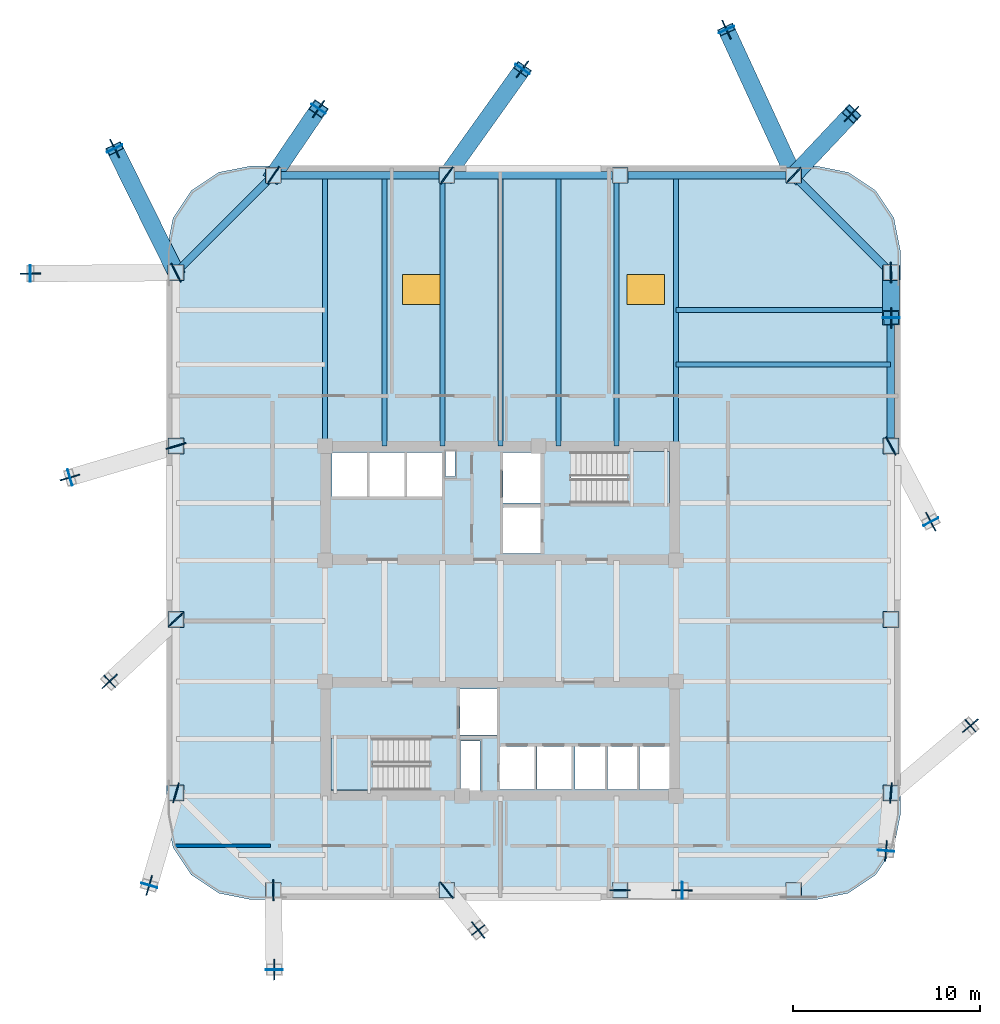
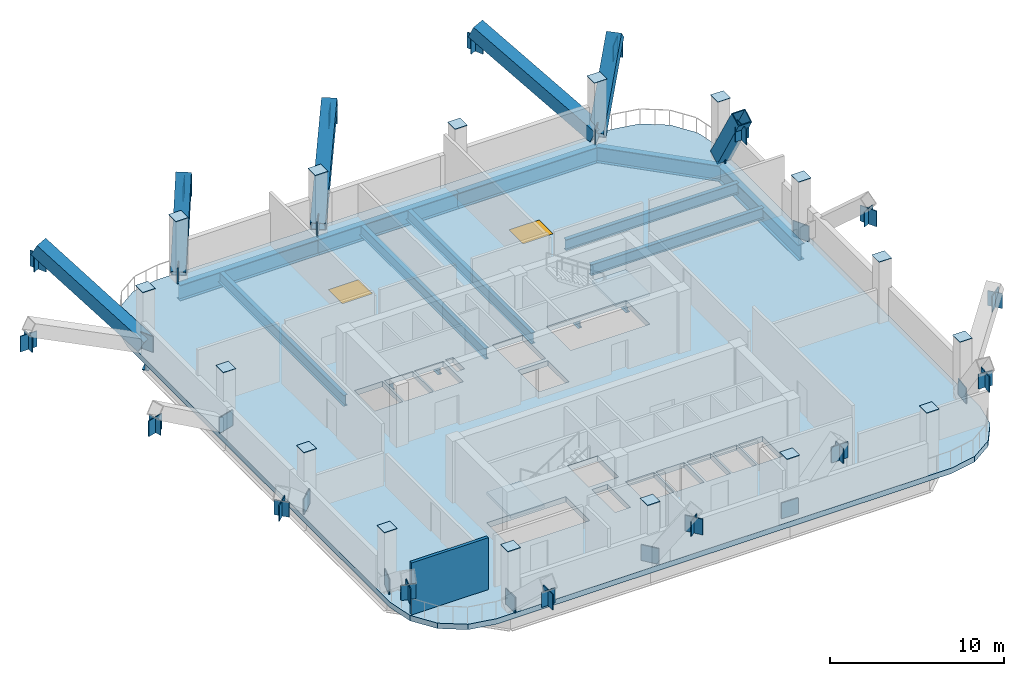
# One storey, part 2 of 7: 61 plates, 15 beams, 6 members, 3 slabs, 2 windows, 1 wall, 2 openings, 2 elements without a shape of their own.
"""IFC4 building model written with IfcOpenShell, lengths in metres."""

from ifc_helpers import new_model, si_unit, direction, frame, frame_2d, origin, origin_2d, place, context, subcontext, project, spatial, polyline, rectangle, hollow_rectangle, i_section, outline, extrude, material, layer, layer_set, material_profile, profile_set, type_object, element, fill, aggregate, save


model = new_model("IFC4")

# Units and contexts
model_context = context("Model", 3, precision=1e-05, world=origin(), true_north=direction((0.0, 1.0)))
body_context = subcontext(model_context, "Body", "Model", "MODEL_VIEW")
ifc_project = project(units=[si_unit("LENGTHUNIT", "METRE"), si_unit("AREAUNIT", "SQUARE_METRE"), si_unit("VOLUMEUNIT", "CUBIC_METRE"), si_unit("PLANEANGLEUNIT", "RADIAN"), si_unit("MASSUNIT", "GRAM", prefix="KILO")], contexts=[model_context])

# Site, building, storey
site_placement = place(None, origin())
site = spatial("IfcSite", under=ifc_project, at=site_placement, CompositionType="ELEMENT")
building_placement = place(site_placement, origin())
building = spatial("IfcBuilding", under=site, at=building_placement, Name="Qhalaya Broadcast Tower", CompositionType="ELEMENT")
storey_placement = place(building_placement, frame((0.0, 0.0, 108.449951171875)))
storey = spatial("IfcBuildingStorey", under=building, at=storey_placement, Name="L31", CompositionType="ELEMENT", Elevation=108.449951171875)

# Members
ifc_material_1 = material(Name="Structural Steel ASTM A572 Grade 50", Category="steel")
ifc_material_profile_1 = material_profile(ifc_material_1, hollow_rectangle(XDim=0.89990234375, YDim=0.89990234375, WallThickness=0.054931640625, at=origin_2d()), Name="BOX 900x900x55")
ifc_profile_set_1 = profile_set([ifc_material_profile_1], Name="Structural Steel ASTM A572 Grade 50")
member_type = type_object("IfcMemberType", Name="Heavy Exoskeleton Transfer Strut RK1", PredefinedType="BRACE", material=ifc_profile_set_1)
member_1_placement = place(storey_placement, frame((20.8701171875, 19.2099609375, 0.238037109375), z_axis=(0.002149644203, -0.506804211778, 0.862058507269), x_axis=(0.999991004675, 0.004241529206, 0.0)))
element("IfcMember", 1, at=member_1_placement, inside=storey, type_object=member_type, Name="L31 Inclined Exoskeleton Transfer Strut 07", PredefinedType="BRACE", context=body_context, shape_type="SweptSolid", body=[
    extrude(hollow_rectangle(XDim=0.89990234375, YDim=0.89990234375, WallThickness=0.054931640625, at=origin_2d()), origin(), (0.0, 0.0, 1.0), 4.77001953125),
])
member_2_placement = place(storey_placement, frame((15.669921875, 24.409912109375, 0.346435546875), z_axis=(0.512979075168, 0.54387850158, 0.664114932793), x_axis=(-0.727469660093, 0.686139849918, 0.0)))
element("IfcMember", 2, at=member_2_placement, inside=storey, type_object=member_type, Name="L31 Inclined Exoskeleton Transfer Strut 08", PredefinedType="BRACE", context=body_context, shape_type="SweptSolid", body=[
    extrude(hollow_rectangle(XDim=0.89990234375, YDim=0.89990234375, WallThickness=0.054931640625, at=origin_2d()), origin(), (0.0, 0.0, 1.0), 6.028564453125),
])
member_3_placement = place(storey_placement, frame((15.669921875, 24.409912109375, 0.419189453125), z_axis=(-0.380638186879, 0.825492567261, 0.41674523643), x_axis=(-0.908109333721, -0.418733134597, 0.0)))
element("IfcMember", 3, at=member_3_placement, inside=storey, type_object=member_type, Name="L31 Inclined Exoskeleton Transfer Strut 09", PredefinedType="BRACE", context=body_context, shape_type="SweptSolid", body=[
    extrude(hollow_rectangle(XDim=0.89990234375, YDim=0.89990234375, WallThickness=0.054931640625, at=origin_2d()), origin(), (0.0, 0.0, 1.0), 9.432373046875),
])
member_4_placement = place(storey_placement, frame((-2.86328125, 24.409912109375, 0.401611328125), z_axis=(0.505445296092, 0.708019842213, 0.49318653235), x_axis=(-0.813887396726, 0.58102263764, 0.0)))
element("IfcMember", 4, at=member_4_placement, inside=storey, type_object=member_type, Name="L31 Inclined Exoskeleton Transfer Strut 10", PredefinedType="BRACE", context=body_context, shape_type="SweptSolid", body=[
    extrude(hollow_rectangle(XDim=0.89990234375, YDim=0.89990234375, WallThickness=0.054931640625, at=origin_2d()), origin(), (0.0, 0.0, 1.0), 8.006103515625),
])
member_5_placement = place(storey_placement, frame((-12.1298828125, 24.409912109375, 0.3388671875), z_axis=(0.411303354747, 0.604139449357, 0.68252844344), x_axis=(-0.826615562421, 0.562767013926, 0.0)))
element("IfcMember", 5, at=member_5_placement, inside=storey, type_object=member_type, Name="L31 Inclined Exoskeleton Transfer Strut 11", PredefinedType="BRACE", context=body_context, shape_type="SweptSolid", body=[
    extrude(hollow_rectangle(XDim=0.89990234375, YDim=0.89990234375, WallThickness=0.054931640625, at=origin_2d()), origin(), (0.0, 0.0, 1.0), 5.876953125),
])
member_6_placement = place(storey_placement, frame((-17.330078125, 19.2099609375, 0.4072265625), z_axis=(-0.391073834786, 0.791117119354, 0.470313681718), x_axis=(-0.896450689538, -0.443143499588, 0.0)))
element("IfcMember", 6, at=member_6_placement, inside=storey, type_object=member_type, Name="L31 Inclined Exoskeleton Transfer Strut 12", PredefinedType="BRACE", context=body_context, shape_type="SweptSolid", body=[
    extrude(hollow_rectangle(XDim=0.89990234375, YDim=0.89990234375, WallThickness=0.054931640625, at=origin_2d()), origin(), (0.0, 0.0, 1.0), 8.383544921875),
])

# Beams
ifc_material_2 = material(Name="Structural Steel ASTM A992 Grade 50", Category="steel")
ifc_material_profile_2 = material_profile(ifc_material_2, i_section(OverallWidth=0.26708984375, OverallDepth=0.780029296875, WebThickness=0.0166015625, FlangeThickness=0.030029296875, at=origin_2d()), Name="W30X148")
ifc_profile_set_2 = profile_set([ifc_material_profile_2], Name="Structural Steel ASTM A992 Grade 50")
beam_type_1 = type_object("IfcBeamType", Name="Neck & Crown Primary Girder PG5", PredefinedType="USERDEFINED", material=ifc_profile_set_2)
for number, where, z_axis, x_axis, name in (
    (7, (-9.375, 9.949951171875, -0.77001953125), (0.0, 1.0, 0.0), (-1.0, 0.0, 0.0), "L31 PG5 L31-PGXN1-1"),
    (8, (9.375, 9.949951171875, -0.77001953125), (0.0, 1.0, 0.0), (-1.0, 0.0, 0.0), "L31 PG5 L31-PGXN2-1"),
):
    element("IfcBeam", number, at=place(storey_placement, frame(where, z_axis=z_axis, x_axis=x_axis)), inside=storey, type_object=beam_type_1, Name=name, ObjectType="GIRDER", PredefinedType="USERDEFINED", context=body_context, shape_type="SweptSolid", body=[
        extrude(i_section(OverallWidth=0.26708984375, OverallDepth=0.780029296875, WebThickness=0.0166015625, FlangeThickness=0.030029296875, at=origin_2d()), origin(), (0.0, 0.0, 1.0), 14.43994140625),
    ])
ifc_material_profile_3 = material_profile(ifc_material_2, i_section(OverallWidth=0.26708984375, OverallDepth=0.761962890625, WebThickness=0.014404296875, FlangeThickness=0.021484375, at=origin_2d()), Name="W30X116")
ifc_profile_set_3 = profile_set([ifc_material_profile_3], Name="Structural Steel ASTM A992 Grade 50")
beam_type_2 = type_object("IfcBeamType", Name="Plant & Server Floor Beam B02", PredefinedType="BEAM", material=ifc_profile_set_3)
for number, where, z_axis, x_axis, name in (
    (9, (-6.199951171875, 9.949951171875, -0.760986328125), (0.0, 1.0, 0.0), (-1.0, 0.0, 0.0), "L31 B02 L31-JNN1-1"),
    (10, (-3.10009765625, 9.949951171875, -0.760986328125), (0.0, 1.0, 0.0), (-1.0, 0.0, 0.0), "L31 B02 L31-JNN2-1"),
    (11, (0.0, 9.949951171875, -0.760986328125), (0.0, 1.0, 0.0), (-1.0, 0.0, 0.0), "L31 B02 L31-JNN3-1"),
    (12, (3.10009765625, 9.949951171875, -0.760986328125), (0.0, 1.0, 0.0), (-1.0, 0.0, 0.0), "L31 B02 L31-JNN4-1"),
    (13, (6.199951171875, 9.949951171875, -0.760986328125), (0.0, 1.0, 0.0), (-1.0, 0.0, 0.0), "L31 B02 L31-JNN5-1"),
):
    element("IfcBeam", number, at=place(storey_placement, frame(where, z_axis=z_axis, x_axis=x_axis)), inside=storey, type_object=beam_type_2, Name=name, PredefinedType="BEAM", context=body_context, shape_type="SweptSolid", body=[
        extrude(i_section(OverallWidth=0.26708984375, OverallDepth=0.761962890625, WebThickness=0.014404296875, FlangeThickness=0.021484375, at=origin_2d()), origin(), (0.0, 0.0, 1.0), 14.43994140625),
    ])
for number, where, z_axis, x_axis, name in (
    (14, (9.375, 14.300048828125, -0.760986328125), (1.0, 0.0, 0.0), (0.0, 1.0, 0.0), "L31 B02 L31-JWE6E-1"),
    (15, (9.375, 17.199951171875, -0.760986328125), (1.0, 0.0, 0.0), (0.0, 1.0, 0.0), "L31 B02 L31-JWE7E-1"),
):
    element("IfcBeam", number, at=place(storey_placement, frame(where, z_axis=z_axis, x_axis=x_axis)), inside=storey, type_object=beam_type_2, Name=name, PredefinedType="BEAM", context=body_context, shape_type="SweptSolid", body=[
        extrude(i_section(OverallWidth=0.26708984375, OverallDepth=0.761962890625, WebThickness=0.014404296875, FlangeThickness=0.021484375, at=origin_2d()), origin(), (0.0, 0.0, 1.0), 11.47509765625),
    ])
ifc_material_profile_4 = material_profile(ifc_material_2, i_section(OverallWidth=0.404052734375, OverallDepth=1.117919921875, WebThickness=0.026123046875, FlangeThickness=0.044921875, at=origin_2d()), Name="W44X335")
ifc_profile_set_4 = profile_set([ifc_material_profile_4], Name="Structural Steel ASTM A992 Grade 50")
beam_type_3 = type_object("IfcBeamType", Name="Podium Long-Span Primary Girder PG1", PredefinedType="USERDEFINED", material=ifc_profile_set_4)
beam_1_placement = place(storey_placement, frame((20.8701171875, 9.943359375, -0.93896484375), z_axis=(0.0, 1.0, 0.0), x_axis=(-1.0, 0.0, 0.0)))
element("IfcBeam", 16, at=beam_1_placement, inside=storey, type_object=beam_type_3, Name="L31 PG1 L31-SPR-07", ObjectType="GIRDER", PredefinedType="USERDEFINED", context=body_context, shape_type="SweptSolid", body=[
    extrude(i_section(OverallWidth=0.404052734375, OverallDepth=1.117919921875, WebThickness=0.026123046875, FlangeThickness=0.044921875, at=origin_2d()), origin(), (0.0, 0.0, 1.0), 9.2666015625),
])
beam_2_placement = place(storey_placement, frame((20.8701171875, 19.2099609375, -0.93896484375), z_axis=(-0.707123380132, 0.707090181851, 0.0), x_axis=(-0.707090181851, -0.707123380132, 0.0)))
element("IfcBeam", 17, at=beam_2_placement, inside=storey, type_object=beam_type_3, Name="L31 PG1 L31-SPR-08", ObjectType="GIRDER", PredefinedType="USERDEFINED", context=body_context, shape_type="SweptSolid", body=[
    extrude(i_section(OverallWidth=0.404052734375, OverallDepth=1.117919921875, WebThickness=0.026123046875, FlangeThickness=0.044921875, at=origin_2d()), origin(), (0.0, 0.0, 1.0), 7.35400390625),
])
for number, where, z_axis, x_axis, name in (
    (18, (15.669921875, 24.409912109375, -0.93896484375), (-1.0, 0.0, 0.0), (0.0, -1.0, 0.0), "L31 PG1 L31-SPR-09"),
    (19, (6.4033203125, 24.409912109375, -0.93896484375), (-1.0, 0.0, 0.0), (0.0, -1.0, 0.0), "L31 PG1 L31-SPR-10"),
    (20, (-2.86328125, 24.409912109375, -0.93896484375), (-1.0, 0.0, 0.0), (0.0, -1.0, 0.0), "L31 PG1 L31-SPR-11"),
):
    element("IfcBeam", number, at=place(storey_placement, frame(where, z_axis=z_axis, x_axis=x_axis)), inside=storey, type_object=beam_type_3, Name=name, ObjectType="GIRDER", PredefinedType="USERDEFINED", context=body_context, shape_type="SweptSolid", body=[
        extrude(i_section(OverallWidth=0.404052734375, OverallDepth=1.117919921875, WebThickness=0.026123046875, FlangeThickness=0.044921875, at=origin_2d()), origin(), (0.0, 0.0, 1.0), 9.2666015625),
    ])
beam_3_placement = place(storey_placement, frame((-12.1298828125, 24.409912109375, -0.93896484375), z_axis=(-0.707123380132, -0.707090181851, 0.0), x_axis=(0.707090181851, -0.707123380132, 0.0)))
element("IfcBeam", 21, at=beam_3_placement, inside=storey, type_object=beam_type_3, Name="L31 PG1 L31-SPR-12", ObjectType="GIRDER", PredefinedType="USERDEFINED", context=body_context, shape_type="SweptSolid", body=[
    extrude(i_section(OverallWidth=0.404052734375, OverallDepth=1.117919921875, WebThickness=0.026123046875, FlangeThickness=0.044921875, at=origin_2d()), origin(), (0.0, 0.0, 1.0), 7.35400390625),
])

# Plates
ifc_layer_1 = layer(ifc_material_1, 0.054931640625, Name="Structural Steel ASTM A572 Grade 50")
ifc_layer_set_1 = layer_set([ifc_layer_1], Name="Structural Steel ASTM A572 Grade 50")
plate_type_1 = type_object("IfcPlateType", Name="Exoskeleton Diamond Node Gusset Plate NP-01", PredefinedType="USERDEFINED", material=ifc_layer_set_1)
for number, where, z_axis, x_axis, name in (
    (22, (-12.1298828125, -13.7900390625, 0.0), (0.0, 0.0, 1.0), (0.01188541236, -0.999929365992, 0.0), "L31 Strut Foot Gusset Plate 01"),
    (23, (-12.07958984375, -18.036376953125, 2.77001953125), (0.0, 0.0, 1.0), (0.01188541236, -0.999929365992, 0.0), "L31 Strut Head Gusset Plate 01"),
    (24, (-2.86328125, -13.7900390625, 0.0), (0.0, 0.0, 1.0), (0.619546156681, -0.784960228127, 0.0), "L31 Strut Foot Gusset Plate 02"),
    (25, (-1.183349609375, -15.91845703125, 2.77001953125), (0.0, 0.0, 1.0), (0.619546156681, -0.784960228127, 0.0), "L31 Strut Head Gusset Plate 02"),
    (26, (6.4033203125, -13.7900390625, 0.0), (0.0, 0.0, 1.0), (0.999995065202, -0.003141587486, 0.0), "L31 Strut Foot Gusset Plate 03"),
    (27, (9.712646484375, -13.80029296875, 2.77001953125), (0.0, 0.0, 1.0), (0.999995065202, -0.003141587486, 0.0), "L31 Strut Head Gusset Plate 03"),
    (28, (20.8701171875, -8.590087890625, 0.0), (0.0, 0.0, 1.0), (-0.084199594279, -0.996448909038, 0.0), "L31 Strut Foot Gusset Plate 04"),
    (29, (20.608642578125, -11.682373046875, 2.77001953125), (0.0, 0.0, 1.0), (-0.084199594279, -0.996448909038, 0.0), "L31 Strut Head Gusset Plate 04"),
    (30, (25.1162109375, -4.99951171875, 2.77001953125), (0.0, 0.0, 1.0), (0.763604483866, 0.645684282153, 0.0), "L31 Strut Head Gusset Plate 05"),
    (31, (20.8701171875, 9.943359375, 0.0), (0.0, 0.0, 1.0), (0.465506395214, -0.885044516403, 0.0), "L31 Strut Foot Gusset Plate 06"),
    (32, (22.998291015625, 5.896484375, 2.77001953125), (0.0, 0.0, 1.0), (0.465506395214, -0.885044516403, 0.0), "L31 Strut Head Gusset Plate 06"),
    (33, (20.8701171875, 19.2099609375, 0.0), (0.0, 0.0, 1.0), (0.004293496769, -0.9999907829, 0.0), "L31 Strut Foot Gusset Plate 07"),
    (34, (20.88037109375, 16.79248046875, 2.77001953125), (0.0, 0.0, 1.0), (0.004293496769, -0.9999907829, 0.0), "L31 Strut Head Gusset Plate 07"),
    (35, (15.669921875, 24.409912109375, 0.0), (0.0, 0.0, 1.0), (0.686135838403, 0.72747344368, 0.0), "L31 Strut Foot Gusset Plate 08"),
    (36, (18.762451171875, 27.688720703125, 2.77001953125), (0.0, 0.0, 1.0), (0.686135838403, 0.72747344368, 0.0), "L31 Strut Head Gusset Plate 08"),
    (37, (12.07958984375, 32.1962890625, 2.77001953125), (0.0, 0.0, 1.0), (-0.418754835772, 0.908099326901, 0.0), "L31 Strut Head Gusset Plate 09"),
    (38, (-2.86328125, 24.409912109375, 0.0), (0.0, 0.0, 1.0), (0.581029715829, 0.813882343662, 0.0), "L31 Strut Foot Gusset Plate 10"),
    (39, (1.183349609375, 30.078369140625, 2.77001953125), (0.0, 0.0, 1.0), (0.581029715829, 0.813882343662, 0.0), "L31 Strut Head Gusset Plate 10"),
    (40, (-12.1298828125, 24.409912109375, 0.0), (0.0, 0.0, 1.0), (0.562804927695, 0.826589749127, 0.0), "L31 Strut Foot Gusset Plate 11"),
    (41, (-9.712646484375, 27.96044921875, 2.77001953125), (0.0, 0.0, 1.0), (0.562804927695, 0.826589749127, 0.0), "L31 Strut Head Gusset Plate 11"),
    (42, (-17.330078125, 19.2099609375, 0.0), (0.0, 0.0, 1.0), (-0.443149422337, 0.896447761714, 0.0), "L31 Strut Foot Gusset Plate 12"),
    (43, (-20.608642578125, 25.84228515625, 2.77001953125), (0.0, 0.0, 1.0), (-0.443149422337, 0.896447761714, 0.0), "L31 Strut Head Gusset Plate 12"),
    (44, (-25.1162109375, 19.159423828125, 2.77001953125), (0.0, 0.0, 1.0), (-0.999978922986, -0.006492579202, 0.0), "L31 Strut Head Gusset Plate 13"),
    (45, (-17.330078125, 9.943359375, 0.0), (0.0, 0.0, 1.0), (-0.958780069499, -0.284149218425, 0.0), "L31 Strut Foot Gusset Plate 14"),
    (46, (-22.998291015625, 8.263427734375, 2.77001953125), (0.0, 0.0, 1.0), (-0.958780069499, -0.284149218425, 0.0), "L31 Strut Head Gusset Plate 14"),
    (47, (-17.330078125, 0.6767578125, 0.0), (0.0, 0.0, 1.0), (-0.731508423312, -0.681832403618, 0.0), "L31 Strut Foot Gusset Plate 15"),
    (48, (-20.88037109375, -2.632568359375, 2.77001953125), (0.0, 0.0, 1.0), (-0.731508423312, -0.681832403618, 0.0), "L31 Strut Head Gusset Plate 15"),
    (49, (-17.330078125, -8.590087890625, 0.0), (0.0, 0.0, 1.0), (-0.278555309877, -0.960420188948, 0.0), "L31 Strut Foot Gusset Plate 16"),
    (50, (-18.762451171875, -13.52880859375, 2.77001953125), (0.0, 0.0, 1.0), (-0.278555309877, -0.960420188948, 0.0), "L31 Strut Head Gusset Plate 16"),
):
    element("IfcPlate", number, at=place(storey_placement, frame(where, z_axis=z_axis, x_axis=x_axis)), inside=storey, type_object=plate_type_1, Name=name, ObjectType="GUSSET_PLATE", PredefinedType="USERDEFINED", context=body_context, shape_type="SweptSolid", body=[
        extrude(rectangle(XDim=1.10009765625, YDim=0.06005859375, at=origin_2d()), origin(), (0.0, 0.0, 1.0), 1.10009765625),
    ])
ifc_layer_2 = layer(ifc_material_1, 0.4599609375, Name="Structural Steel ASTM A572 Grade 50")
ifc_layer_set_2 = layer_set([ifc_layer_2], Name="Structural Steel ASTM A572 Grade 50")
plate_type_2 = type_object("IfcPlateType", Name="Hollow Box Member End Cap Plate CP-01", PredefinedType="USERDEFINED", material=ifc_layer_set_2)
for number, where, z_axis, x_axis, name in (
    (51, (-12.1298828125, -13.7900390625, 4.35009765625), (0.0, 0.0, 1.0), (1.0, 0.0, 0.0), "L31 Hollow Box Column Top Cap Plate COL-NK01"),
    (52, (-2.86328125, -13.7900390625, 4.35009765625), (0.0, 0.0, 1.0), (1.0, 0.0, 0.0), "L31 Hollow Box Column Top Cap Plate COL-NK02"),
    (53, (6.4033203125, -13.7900390625, 4.35009765625), (0.0, 0.0, 1.0), (1.0, 0.0, 0.0), "L31 Hollow Box Column Top Cap Plate COL-NK03"),
    (54, (15.669921875, -13.7900390625, 4.35009765625), (0.0, 0.0, 1.0), (1.0, 0.0, 0.0), "L31 Hollow Box Column Top Cap Plate COL-NK04"),
    (55, (20.8701171875, -8.590087890625, 4.35009765625), (0.0, 0.0, 1.0), (0.0, 1.0, 0.0), "L31 Hollow Box Column Top Cap Plate COL-NK05"),
    (56, (20.8701171875, 0.6767578125, 4.35009765625), (0.0, 0.0, 1.0), (0.0, 1.0, 0.0), "L31 Hollow Box Column Top Cap Plate COL-NK06"),
    (57, (20.8701171875, 9.943359375, 4.35009765625), (0.0, 0.0, 1.0), (0.0, 1.0, 0.0), "L31 Hollow Box Column Top Cap Plate COL-NK07"),
    (58, (20.8701171875, 19.2099609375, 4.35009765625), (0.0, 0.0, 1.0), (0.0, 1.0, 0.0), "L31 Hollow Box Column Top Cap Plate COL-NK08"),
    (59, (15.669921875, 24.409912109375, 4.35009765625), (0.0, 0.0, 1.0), (1.0, 0.0, 0.0), "L31 Hollow Box Column Top Cap Plate COL-NK09"),
    (60, (6.4033203125, 24.409912109375, 4.35009765625), (0.0, 0.0, 1.0), (1.0, 0.0, 0.0), "L31 Hollow Box Column Top Cap Plate COL-NK10"),
    (61, (-2.86328125, 24.409912109375, 4.35009765625), (0.0, 0.0, 1.0), (1.0, 0.0, 0.0), "L31 Hollow Box Column Top Cap Plate COL-NK11"),
    (62, (-12.1298828125, 24.409912109375, 4.35009765625), (0.0, 0.0, 1.0), (1.0, 0.0, 0.0), "L31 Hollow Box Column Top Cap Plate COL-NK12"),
    (63, (-17.330078125, 19.2099609375, 4.35009765625), (0.0, 0.0, 1.0), (0.0, 1.0, 0.0), "L31 Hollow Box Column Top Cap Plate COL-NK13"),
    (64, (-17.330078125, 9.943359375, 4.35009765625), (0.0, 0.0, 1.0), (0.0, 1.0, 0.0), "L31 Hollow Box Column Top Cap Plate COL-NK14"),
    (65, (-17.330078125, 0.6767578125, 4.35009765625), (0.0, 0.0, 1.0), (0.0, 1.0, 0.0), "L31 Hollow Box Column Top Cap Plate COL-NK15"),
    (66, (-17.330078125, -8.590087890625, 4.35009765625), (0.0, 0.0, 1.0), (0.0, 1.0, 0.0), "L31 Hollow Box Column Top Cap Plate COL-NK16"),
):
    element("IfcPlate", number, at=place(storey_placement, frame(where, z_axis=z_axis, x_axis=x_axis)), inside=storey, type_object=plate_type_2, Name=name, ObjectType="COVER_PLATE", PredefinedType="USERDEFINED", context=body_context, shape_type="SweptSolid", body=[
        extrude(rectangle(XDim=0.840087890625, YDim=0.840087890625, at=origin_2d()), origin(), (0.0, 0.0, 1.0), 0.031982421875),
    ])

# Stair, slab
ifc_material_3 = material(Name="Concrete C40/50", Category="concrete")
stair_type = type_object("IfcStairType", Name="Protected Dogleg Core Stair 4200", PredefinedType="TWO_STRAIGHT_RUN_STAIR", material=ifc_material_3)
stair_1_placement = place(storey_placement, origin())
stair_1 = element("IfcStair", 67, at=stair_1_placement, inside=storey, type_object=stair_type, Name="L31 North Core Exit Stair ST-1", PredefinedType="TWO_STRAIGHT_RUN_STAIR")
ifc_layer_3 = layer(ifc_material_3, 0.199951171875, Name="Concrete C40/50")
ifc_layer_set_3 = layer_set([ifc_layer_3], Name="Concrete C40/50")
slab_type_1 = type_object("IfcSlabType", Name="Stair & Ramp Half-Landing Slab 200", PredefinedType="LANDING", material=ifc_layer_set_3)
slab_1_placement = place(storey_placement, frame((0.0, 0.0, 1.97509765625)))
slab_1 = element("IfcSlab", 68, at=slab_1_placement, type_object=slab_type_1, Name="ST-1 landing 1", PredefinedType="LANDING", context=body_context, shape_type="SweptSolid", body=[
    extrude(outline(polyline([(6.794921875, 6.8798828125), (9.050048828125, 6.8798828125), (9.050048828125, 9.639892578125), (6.794921875, 9.639892578125), (6.794921875, 6.8798828125)])), origin(), (0.0, 0.0, 1.0), 0.199951171875),
])
aggregate(stair_1, [slab_1])

stair_2_placement = place(storey_placement, origin())
stair_2 = element("IfcStair", 69, at=stair_2_placement, inside=storey, type_object=stair_type, Name="L31 South Core Exit Stair ST-2", PredefinedType="TWO_STRAIGHT_RUN_STAIR")
slab_2_placement = place(storey_placement, frame((0.0, 0.0, 1.97509765625)))
slab_2 = element("IfcSlab", 70, at=slab_2_placement, type_object=slab_type_1, Name="ST-2 landing 1", PredefinedType="LANDING", context=body_context, shape_type="SweptSolid", body=[
    extrude(outline(polyline([(-6.794921875, -5.679931640625), (-9.050048828125, -5.679931640625), (-9.050048828125, -8.43994140625), (-6.794921875, -8.43994140625), (-6.794921875, -5.679931640625)])), origin(), (0.0, 0.0, 1.0), 0.199951171875),
])
aggregate(stair_2, [slab_2])

# Slab, openings, windows
ifc_layer_4 = layer(ifc_material_3, 0.3798828125, Name="Concrete C40/50")
ifc_layer_set_4 = layer_set([ifc_layer_4], Name="Concrete C40/50")
slab_type_2 = type_object("IfcSlabType", Name="Transfer & Sky-Pool Structural Deck Slab 380", PredefinedType="FLOOR", material=ifc_layer_set_4)
slab_3_placement = place(storey_placement, frame((0.0, 0.0, -0.3798828125)))
slab_3 = element("IfcSlab", 71, at=slab_3_placement, inside=storey, type_object=slab_type_2, Name="L31 Main Structural Floor Slab", PredefinedType="FLOOR", context=body_context, shape_type="SweptSolid", body=[
    extrude(outline(polyline([(16.8701171875, -14.2900390625), (18.592041015625, -13.947509765625), (20.052001953125, -12.971923828125), (21.027587890625, -11.51220703125), (21.3701171875, -9.7900390625), (21.3701171875, 20.409912109375), (21.027587890625, 22.132080078125), (20.052001953125, 23.592041015625), (18.592041015625, 24.5673828125), (16.8701171875, 24.909912109375), (-13.330078125, 24.909912109375), (-15.052001953125, 24.5673828125), (-16.511962890625, 23.592041015625), (-17.487548828125, 22.132080078125), (-17.830078125, 20.409912109375), (-17.830078125, -9.7900390625), (-17.487548828125, -11.51220703125), (-16.511962890625, -12.971923828125), (-15.052001953125, -13.947509765625), (-13.330078125, -14.2900390625), (16.8701171875, -14.2900390625)]), holes=[polyline([(3.784912109375, 9.639892578125), (9.050048828125, 9.639892578125), (9.050048828125, 6.8798828125), (3.784912109375, 6.8798828125), (3.784912109375, 9.639892578125)]), polyline([(-3.784912109375, -8.43994140625), (-9.050048828125, -8.43994140625), (-9.050048828125, -5.679931640625), (-3.784912109375, -5.679931640625), (-3.784912109375, -8.43994140625)]), polyline([(0.14990234375, 6.64990234375), (2.14990234375, 6.64990234375), (2.14990234375, 4.199951171875), (0.14990234375, 4.199951171875), (0.14990234375, 6.64990234375)]), polyline([(0.14990234375, 9.60009765625), (2.14990234375, 9.60009765625), (2.14990234375, 6.89990234375), (0.14990234375, 6.89990234375), (0.14990234375, 9.60009765625)]), polyline([(-2.14990234375, -3.050048828125), (-0.14990234375, -3.050048828125), (-0.14990234375, -5.5), (-2.14990234375, -5.5), (-2.14990234375, -3.050048828125)]), polyline([(-9.0, 9.60009765625), (-7.1201171875, 9.60009765625), (-7.1201171875, 7.25), (-9.0, 7.25), (-9.0, 9.60009765625)]), polyline([(-7.0, 9.60009765625), (-5.1201171875, 9.60009765625), (-5.1201171875, 7.25), (-7.0, 7.25), (-7.0, 9.60009765625)]), polyline([(-5.0, 9.60009765625), (-3.1201171875, 9.60009765625), (-3.1201171875, 7.25), (-5.0, 7.25), (-5.0, 9.60009765625)]), polyline([(-0.050048828125, -6.10009765625), (1.830078125, -6.10009765625), (1.830078125, -8.39990234375), (-0.050048828125, -8.39990234375), (-0.050048828125, -6.10009765625)]), polyline([(1.949951171875, -6.10009765625), (3.830078125, -6.10009765625), (3.830078125, -8.39990234375), (1.949951171875, -8.39990234375), (1.949951171875, -6.10009765625)]), polyline([(4.0, -6.10009765625), (5.60009765625, -6.10009765625), (5.60009765625, -8.39990234375), (4.0, -8.39990234375), (4.0, -6.10009765625)]), polyline([(5.719970703125, -6.10009765625), (7.320068359375, -6.10009765625), (7.320068359375, -8.39990234375), (5.719970703125, -8.39990234375), (5.719970703125, -6.10009765625)]), polyline([(7.43994140625, -6.10009765625), (9.0400390625, -6.10009765625), (9.0400390625, -8.39990234375), (7.43994140625, -8.39990234375), (7.43994140625, -6.10009765625)]), polyline([(-2.919921875, 9.659912109375), (-2.419921875, 9.659912109375), (-2.419921875, 8.320068359375), (-2.919921875, 8.320068359375), (-2.919921875, 9.659912109375)]), polyline([(-2.1201171875, -5.820068359375), (-1.080078125, -5.820068359375), (-1.080078125, -8.4599609375), (-2.1201171875, -8.4599609375), (-2.1201171875, -5.820068359375)])]), origin(), (0.0, 0.0, 1.0), 0.3798828125),
])
opening_1_placement = place(slab_3_placement, frame((-4.22998046875, 18.31005859375, 0.0), z_axis=(0.0, 0.0, 1.0), x_axis=(1.0, 0.0, 0.0)))
opening_1 = element("IfcOpeningElement", 72, at=opening_1_placement, cuts=slab_3, Name="Opening SK4", PredefinedType="OPENING", context=body_context, shape_type="SweptSolid", body=[
    extrude(rectangle(XDim=2.0, YDim=1.60009765625, at=origin_2d()), origin(), (0.0, 0.0, 1.0), 0.3798828125),
])
opening_2_placement = place(slab_3_placement, frame((7.77001953125, 18.31005859375, 0.0), z_axis=(0.0, 0.0, 1.0), x_axis=(1.0, 0.0, 0.0)))
opening_2 = element("IfcOpeningElement", 73, at=opening_2_placement, cuts=slab_3, Name="Opening SK4", PredefinedType="OPENING", context=body_context, shape_type="SweptSolid", body=[
    extrude(rectangle(XDim=2.0, YDim=1.60009765625, at=origin_2d()), origin(), (0.0, 0.0, 1.0), 0.3798828125),
])
ifc_material_4 = material(Name="Solar-Control Low-E Triple Glazing", Category="glass")
window_type = type_object("IfcWindowType", Name="Sky-Garden Pavilion Skylight SK4", PartitioningType="SINGLE_PANEL", PredefinedType="SKYLIGHT", material=ifc_material_4)
window_1_placement = place(opening_1_placement, frame((0.0, 0.0, 0.329833984375)))
window_1 = element("IfcWindow", 74, at=window_1_placement, inside=storey, type_object=window_type, Name="L31 Sky-Garden Skylight SK4-1", OverallHeight=1.60009765625, OverallWidth=2.0, PartitioningType="SINGLE_PANEL", PredefinedType="SKYLIGHT", context=body_context, shape_type="SweptSolid", body=[
    extrude(rectangle(XDim=2.0, YDim=1.60009765625, at=origin_2d()), origin(), (0.0, 0.0, 1.0), 0.050048828125),
])
fill(opening_1, window_1)
window_2_placement = place(opening_2_placement, frame((0.0, 0.0, 0.329833984375)))
window_2 = element("IfcWindow", 75, at=window_2_placement, inside=storey, type_object=window_type, Name="L31 Sky-Garden Skylight SK4-2", OverallHeight=1.60009765625, OverallWidth=2.0, PartitioningType="SINGLE_PANEL", PredefinedType="SKYLIGHT", context=body_context, shape_type="SweptSolid", body=[
    extrude(rectangle(XDim=2.0, YDim=1.60009765625, at=origin_2d()), origin(), (0.0, 0.0, 1.0), 0.050048828125),
])
fill(opening_2, window_2)

# Plates
ifc_layer_5 = layer(ifc_material_1, 0.044921875, Name="Structural Steel ASTM A572 Grade 50")
ifc_layer_set_5 = layer_set([ifc_layer_5], Name="Structural Steel ASTM A572 Grade 50")
plate_type_3 = type_object("IfcPlateType", Name="Transfer Girder Web Stiffener Plate WS-01", PredefinedType="USERDEFINED", material=ifc_layer_set_5)
for number, where, z_axis, x_axis, name in (
    (76, (-12.07958984375, -18.036376953125, 2.794921875), (0.0, 0.0, 1.0), (0.999929365992, 0.01188541236, 0.0), "L31 Strut Head Cross Diaphragm Plate 01"),
    (77, (-1.183349609375, -15.91845703125, 2.794921875), (0.0, 0.0, 1.0), (0.784960228127, 0.619546156681, 0.0), "L31 Strut Head Cross Diaphragm Plate 02"),
    (78, (9.712646484375, -13.80029296875, 2.794921875), (0.0, 0.0, 1.0), (0.003141587486, 0.999995065202, 0.0), "L31 Strut Head Cross Diaphragm Plate 03"),
    (79, (20.608642578125, -11.682373046875, 2.794921875), (0.0, 0.0, 1.0), (0.996448909038, -0.084199594279, 0.0), "L31 Strut Head Cross Diaphragm Plate 04"),
    (80, (25.1162109375, -4.99951171875, 2.794921875), (0.0, 0.0, 1.0), (-0.645684282153, 0.763604483866, 0.0), "L31 Strut Head Cross Diaphragm Plate 05"),
    (81, (22.998291015625, 5.896484375, 2.794921875), (0.0, 0.0, 1.0), (0.885044516403, 0.465506395214, 0.0), "L31 Strut Head Cross Diaphragm Plate 06"),
    (82, (20.88037109375, 16.79248046875, 2.794921875), (0.0, 0.0, 1.0), (0.9999907829, 0.004293496769, 0.0), "L31 Strut Head Cross Diaphragm Plate 07"),
    (83, (18.762451171875, 27.688720703125, 2.794921875), (0.0, 0.0, 1.0), (-0.72747344368, 0.686135838403, 0.0), "L31 Strut Head Cross Diaphragm Plate 08"),
    (84, (12.07958984375, 32.1962890625, 2.794921875), (0.0, 0.0, 1.0), (-0.908099326901, -0.418754835772, 0.0), "L31 Strut Head Cross Diaphragm Plate 09"),
    (85, (1.183349609375, 30.078369140625, 2.794921875), (0.0, 0.0, 1.0), (-0.813882343662, 0.581029715829, 0.0), "L31 Strut Head Cross Diaphragm Plate 10"),
    (86, (-9.712646484375, 27.96044921875, 2.794921875), (0.0, 0.0, 1.0), (-0.826589749127, 0.562804927695, 0.0), "L31 Strut Head Cross Diaphragm Plate 11"),
    (87, (-20.608642578125, 25.84228515625, 2.794921875), (0.0, 0.0, 1.0), (-0.896447761714, -0.443149422337, 0.0), "L31 Strut Head Cross Diaphragm Plate 12"),
    (88, (-25.1162109375, 19.159423828125, 2.794921875), (0.0, 0.0, 1.0), (0.006492579202, -0.999978922986, 0.0), "L31 Strut Head Cross Diaphragm Plate 13"),
    (89, (-22.998291015625, 8.263427734375, 2.794921875), (0.0, 0.0, 1.0), (0.284149218425, -0.958780069499, 0.0), "L31 Strut Head Cross Diaphragm Plate 14"),
    (90, (-20.88037109375, -2.632568359375, 2.794921875), (0.0, 0.0, 1.0), (0.681832403618, -0.731508423312, 0.0), "L31 Strut Head Cross Diaphragm Plate 15"),
    (91, (-18.762451171875, -13.52880859375, 2.794921875), (0.0, 0.0, 1.0), (0.960420188948, -0.278555309877, 0.0), "L31 Strut Head Cross Diaphragm Plate 16"),
):
    element("IfcPlate", number, at=place(storey_placement, frame(where, z_axis=z_axis, x_axis=x_axis)), inside=storey, type_object=plate_type_3, Name=name, ObjectType="STIFFENER_PLATE", PredefinedType="USERDEFINED", context=body_context, shape_type="SweptSolid", body=[
        extrude(rectangle(XDim=0.89990234375, YDim=0.044921875, at=origin_2d()), origin(), (0.0, 0.0, 1.0), 1.050048828125),
    ])

# Wall
ifc_material_5 = material(Name="Gypsum Acoustic Partition")
ifc_layer_6 = layer(ifc_material_5, 0.199951171875, Name="Gypsum Acoustic Partition")
ifc_layer_set_6 = layer_set([ifc_layer_6], Name="Gypsum Acoustic Partition")
wall_type = type_object("IfcWallType", Name="Firefighting Lobby & Stair Enclosure Wall 200", PredefinedType="PARTITIONING", material=ifc_layer_set_6)
wall_placement = place(storey_placement, frame((-17.383544921875, -11.419921875, 0.0), z_axis=(0.0, 0.0, 1.0), x_axis=(1.0, 0.0, 0.0)))
element("IfcWall", 92, at=wall_placement, inside=storey, type_object=wall_type, Name="L31 Partition Wall W-PBSW", PredefinedType="PARTITIONING", context=body_context, shape_type="SweptSolid", body=[
    extrude(rectangle(XDim=5.093505859375, YDim=0.199951171875, at=frame_2d((2.546875, 0.0))), origin(), (0.0, 0.0, 1.0), 3.64697265625),
])

save(model, "model.ifc")
